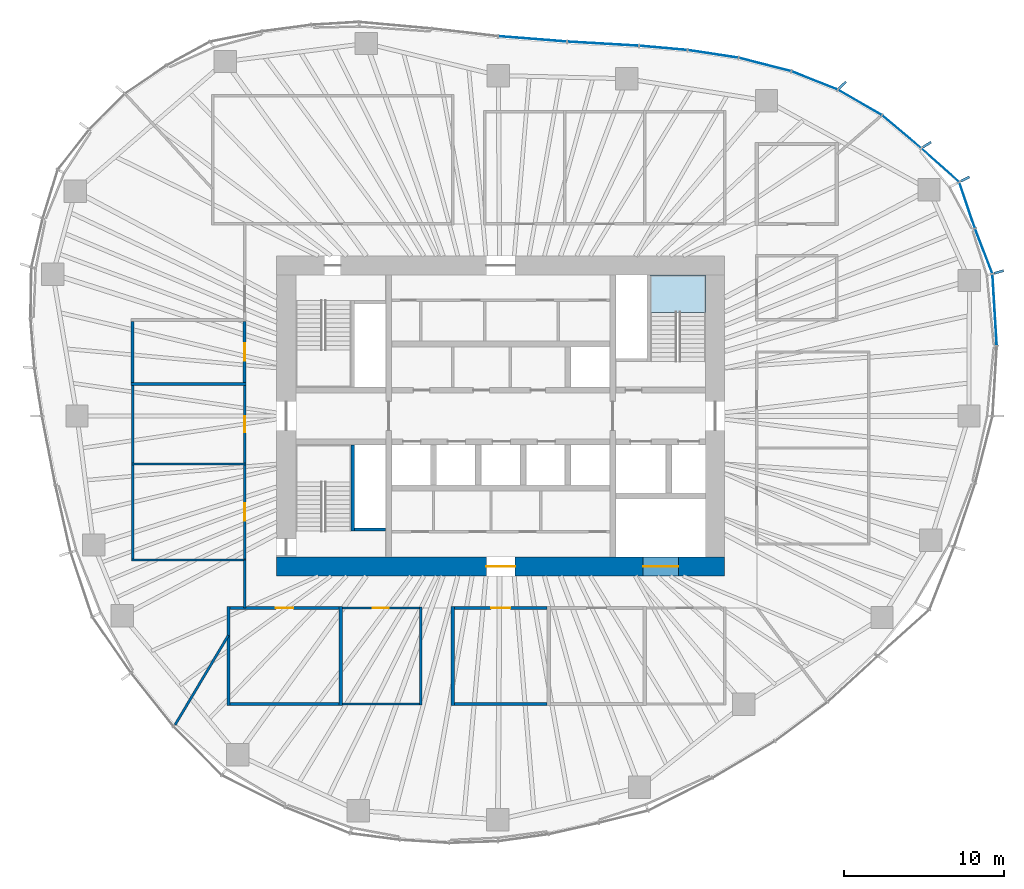
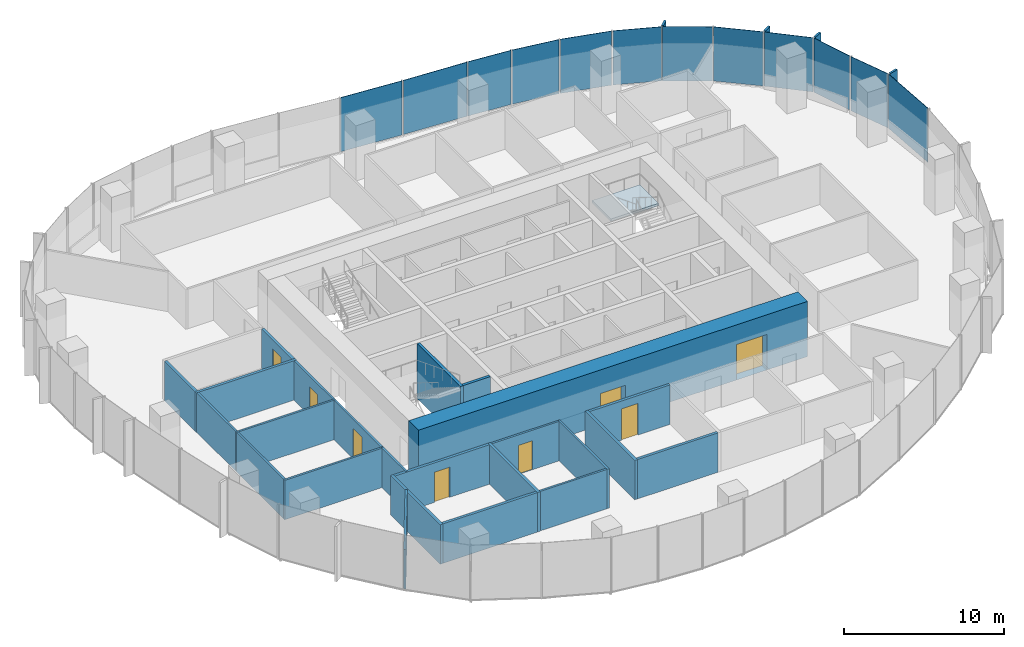
# One storey, part 8 of 18: 24 walls, 16 plates, 8 doors, 1 slab, 8 openings, 6 elements without a shape of their own.
"""IFC4 building model written with IfcOpenShell, lengths in metres."""

from ifc_helpers import new_model, si_unit, direction, frame, frame_2d, origin, origin_2d, place, context, subcontext, project, spatial, polyline, rectangle, outline, extrude, material, layer, layer_set, type_object, element, fill, aggregate, save


model = new_model("IFC4")

# Units and contexts
model_context = context("Model", 3, precision=1e-05, world=origin(), true_north=direction((0.0, 1.0)))
body_context = subcontext(model_context, "Body", "Model", "MODEL_VIEW")
ifc_project = project(units=[si_unit("LENGTHUNIT", "METRE"), si_unit("AREAUNIT", "SQUARE_METRE"), si_unit("VOLUMEUNIT", "CUBIC_METRE"), si_unit("PLANEANGLEUNIT", "RADIAN"), si_unit("MASSUNIT", "GRAM", prefix="KILO")], contexts=[model_context])

# Site, building, storey
site_placement = place(None, origin())
site = spatial("IfcSite", under=ifc_project, at=site_placement, CompositionType="ELEMENT")
building_placement = place(site_placement, origin())
building = spatial("IfcBuilding", under=site, at=building_placement, Name="Ghaith Harvest Tower", CompositionType="ELEMENT")
storey_placement = place(building_placement, frame((0.0, 0.0, 147.0)))
storey = spatial("IfcBuildingStorey", under=building, at=storey_placement, Name="L31", CompositionType="ELEMENT", Elevation=147.0)

# Curtain wall, plate
ifc_material_1 = material(Name="Black anodised aluminium and fritted glass", Category="aluminium")
curtain_wall_type = type_object("IfcCurtainWallType", Name="CW-L CURTAIN WALL", PredefinedType="NOTDEFINED", material=ifc_material_1)
curtain_wall_1_placement = place(storey_placement, origin())
curtain_wall_1 = element("IfcCurtainWall", 1, at=curtain_wall_1_placement, inside=storey, type_object=curtain_wall_type, Name="Curtain wall CW-L bay 01 L31", PredefinedType="NOTDEFINED")
ifc_material_2 = material(Name="Glass, dark solar-control fritted double glazed unit", Category="glass")
ifc_layer_1 = layer(ifc_material_2, 0.031982421875)
ifc_layer_set_1 = layer_set([ifc_layer_1], Name="CW-L VISION PANEL")
plate_type_1 = type_object("IfcPlateType", Name="CW-L VISION PANEL", PredefinedType="CURTAIN_PANEL", material=ifc_layer_set_1)
plate_1_placement = place(storey_placement, frame((30.863037109375, 6.63525390625, 0.079833984375), z_axis=(0.0, 0.0, 1.0), x_axis=(-0.060320650032, 0.998179051663, 0.0)))
plate_1 = element("IfcPlate", 2, at=plate_1_placement, type_object=plate_type_1, Name="CW-L glass unit 2 bay 01 L31", PredefinedType="CURTAIN_PANEL", context=body_context, shape_type="SweptSolid", body=[
    extrude(rectangle(XDim=4.419189453125, YDim=0.031982421875, at=origin_2d()), origin(), (0.0, 0.0, 1.0), 4.1201171875),
])
aggregate(curtain_wall_1, [plate_1])

# Curtain wall, plates
curtain_wall_2_placement = place(storey_placement, origin())
curtain_wall_2 = element("IfcCurtainWall", 3, at=curtain_wall_2_placement, inside=storey, type_object=curtain_wall_type, Name="Curtain wall CW-L bay 02 L31", PredefinedType="NOTDEFINED")
plate_2_placement = place(storey_placement, frame((30.180908203125, 10.29833984375, 0.079833984375), z_axis=(0.0, 0.0, 1.0), x_axis=(-0.359676824997, 0.933076943001, 0.0)))
plate_2 = element("IfcPlate", 4, at=plate_2_placement, type_object=plate_type_1, Name="CW-L glass unit 1 bay 02 L31", PredefinedType="CURTAIN_PANEL", context=body_context, shape_type="SweptSolid", body=[
    extrude(rectangle(XDim=2.95849609375, YDim=0.031982421875, at=origin_2d()), origin(), (0.0, 0.0, 1.0), 4.1201171875),
])
plate_3_placement = place(storey_placement, frame((29.142333984375, 13.163818359375, 0.079833984375), z_axis=(0.0, 0.0, 1.0), x_axis=(-0.321853304376, 0.946789549194, 0.0)))
plate_3 = element("IfcPlate", 5, at=plate_3_placement, type_object=plate_type_1, Name="CW-L glass unit 2 bay 02 L31", PredefinedType="CURTAIN_PANEL", context=body_context, shape_type="SweptSolid", body=[
    extrude(rectangle(XDim=2.978759765625, YDim=0.031982421875, at=origin_2d()), origin(), (0.0, 0.0, 1.0), 4.1201171875),
])
plate_4_placement = place(storey_placement, frame((27.46533203125, 15.668701171875, 0.079833984375), z_axis=(0.0, 0.0, 1.0), x_axis=(-0.746250544556, 0.665665174656, 0.0)))
plate_4 = element("IfcPlate", 6, at=plate_4_placement, type_object=plate_type_1, Name="CW-L glass unit 3 bay 02 L31", PredefinedType="CURTAIN_PANEL", context=body_context, shape_type="SweptSolid", body=[
    extrude(rectangle(XDim=3.094970703125, YDim=0.031982421875, at=origin_2d()), origin(), (0.0, 0.0, 1.0), 4.1201171875),
])
aggregate(curtain_wall_2, [plate_2, plate_3, plate_4])

curtain_wall_3_placement = place(storey_placement, origin())
curtain_wall_3 = element("IfcCurtainWall", 7, at=curtain_wall_3_placement, inside=storey, type_object=curtain_wall_type, Name="Curtain wall CW-L bay 03 L31", PredefinedType="NOTDEFINED")
plate_5_placement = place(storey_placement, frame((25.05126953125, 17.7587890625, 0.079833984375), z_axis=(0.0, 0.0, 1.0), x_axis=(-0.765473064857, 0.643467937801, 0.0)))
plate_5 = element("IfcPlate", 8, at=plate_5_placement, type_object=plate_type_1, Name="CW-L glass unit 1 bay 03 L31", PredefinedType="CURTAIN_PANEL", context=body_context, shape_type="SweptSolid", body=[
    extrude(rectangle(XDim=3.13232421875, YDim=0.031982421875, at=origin_2d()), origin(), (0.0, 0.0, 1.0), 4.1201171875),
])
plate_6_placement = place(storey_placement, frame((22.444091796875, 19.590576171875, 0.079833984375), z_axis=(0.0, 0.0, 1.0), x_axis=(-0.865232087993, 0.501371552751, 0.0)))
plate_6 = element("IfcPlate", 9, at=plate_6_placement, type_object=plate_type_1, Name="CW-L glass unit 2 bay 03 L31", PredefinedType="CURTAIN_PANEL", context=body_context, shape_type="SweptSolid", body=[
    extrude(rectangle(XDim=3.10498046875, YDim=0.031982421875, at=origin_2d()), origin(), (0.0, 0.0, 1.0), 4.1201171875),
])
plate_7_placement = place(storey_placement, frame((19.6142578125, 20.963623046875, 0.079833984375), z_axis=(0.0, 0.0, 1.0), x_axis=(-0.929876534019, 0.367871759558, 0.0)))
plate_7 = element("IfcPlate", 10, at=plate_7_placement, type_object=plate_type_1, Name="CW-L glass unit 3 bay 03 L31", PredefinedType="CURTAIN_PANEL", context=body_context, shape_type="SweptSolid", body=[
    extrude(rectangle(XDim=3.042724609375, YDim=0.031982421875, at=origin_2d()), origin(), (0.0, 0.0, 1.0), 4.1201171875),
])
aggregate(curtain_wall_3, [plate_5, plate_6, plate_7])

curtain_wall_4_placement = place(storey_placement, origin())
curtain_wall_4 = element("IfcCurtainWall", 11, at=curtain_wall_4_placement, inside=storey, type_object=curtain_wall_type, Name="Curtain wall CW-L bay 04 L31", PredefinedType="NOTDEFINED")
plate_8_placement = place(storey_placement, frame((16.513427734375, 21.958740234375, 0.079833984375), z_axis=(0.0, 0.0, 1.0), x_axis=(-0.96893110987, 0.247330758955, 0.0)))
plate_8 = element("IfcPlate", 12, at=plate_8_placement, type_object=plate_type_1, Name="CW-L glass unit 1 bay 04 L31", PredefinedType="CURTAIN_PANEL", context=body_context, shape_type="SweptSolid", body=[
    extrude(rectangle(XDim=3.3232421875, YDim=0.031982421875, at=origin_2d()), origin(), (0.0, 0.0, 1.0), 4.1201171875),
])
plate_9_placement = place(storey_placement, frame((13.2685546875, 22.621826171875, 0.079833984375), z_axis=(0.0, 0.0, 1.0), x_axis=(-0.988678736369, 0.150047846542, 0.0)))
plate_9 = element("IfcPlate", 13, at=plate_9_placement, type_object=plate_type_1, Name="CW-L glass unit 2 bay 04 L31", PredefinedType="CURTAIN_PANEL", context=body_context, shape_type="SweptSolid", body=[
    extrude(rectangle(XDim=3.14892578125, YDim=0.031982421875, at=origin_2d()), origin(), (0.0, 0.0, 1.0), 4.1201171875),
])
plate_10_placement = place(storey_placement, frame((10.15966796875, 22.9970703125, 0.079833984375), z_axis=(0.0, 0.0, 1.0), x_axis=(-0.996166190972, 0.087480969151, 0.0)))
plate_10 = element("IfcPlate", 14, at=plate_10_placement, type_object=plate_type_1, Name="CW-L glass unit 3 bay 04 L31", PredefinedType="CURTAIN_PANEL", context=body_context, shape_type="SweptSolid", body=[
    extrude(rectangle(XDim=2.957275390625, YDim=0.031982421875, at=origin_2d()), origin(), (0.0, 0.0, 1.0), 4.1201171875),
])
aggregate(curtain_wall_4, [plate_8, plate_9, plate_10])

curtain_wall_5_placement = place(storey_placement, origin())
curtain_wall_5 = element("IfcCurtainWall", 15, at=curtain_wall_5_placement, inside=storey, type_object=curtain_wall_type, Name="Curtain wall CW-L bay 05 L31", PredefinedType="NOTDEFINED")
plate_11_placement = place(storey_placement, frame((6.396728515625, 23.260498046875, 0.079833984375), z_axis=(0.0, 0.0, 1.0), x_axis=(-0.998320798751, 0.05792739233, 0.0)))
plate_11 = element("IfcPlate", 16, at=plate_11_placement, type_object=plate_type_1, Name="CW-L glass unit 1 bay 05 L31", PredefinedType="CURTAIN_PANEL", context=body_context, shape_type="SweptSolid", body=[
    extrude(rectangle(XDim=4.427734375, YDim=0.031982421875, at=origin_2d()), origin(), (0.0, 0.0, 1.0), 4.1201171875),
])
plate_12_placement = place(storey_placement, frame((1.9921875, 23.560302734375, 0.079833984375), z_axis=(0.0, 0.0, 1.0), x_axis=(-0.996925121312, 0.078360082291, 0.0)))
plate_12 = element("IfcPlate", 17, at=plate_12_placement, type_object=plate_type_1, Name="CW-L glass unit 2 bay 05 L31", PredefinedType="CURTAIN_PANEL", context=body_context, shape_type="SweptSolid", body=[
    extrude(rectangle(XDim=4.242431640625, YDim=0.031982421875, at=origin_2d()), origin(), (0.0, 0.0, 1.0), 4.1201171875),
])
aggregate(curtain_wall_5, [plate_11, plate_12])

# Stair, slab
ifc_material_3 = material(Name="Concrete C40/50, precast", Category="concrete")
stair_type = type_object("IfcStairType", Name="CORE STAIR 24R", PredefinedType="HALF_TURN_STAIR", material=ifc_material_3)
stair_placement = place(storey_placement, origin())
stair = element("IfcStair", 18, at=stair_placement, inside=storey, type_object=stair_type, Name="Stair ST2 L31", PredefinedType="HALF_TURN_STAIR")
ifc_material_4 = material(Name="Concrete C40/50, precast", Category="concrete")
ifc_layer_2 = layer(ifc_material_4, 0.179931640625)
ifc_layer_set_2 = layer_set([ifc_layer_2], Name="STAIR LANDING 180")
slab_type = type_object("IfcSlabType", Name="STAIR LANDING 180", PredefinedType="LANDING", material=ifc_layer_set_2)
slab_placement = place(storey_placement, frame((0.0, 0.0, 1.919921875)))
slab = element("IfcSlab", 19, at=slab_placement, type_object=slab_type, Name="ST2 landing 1", PredefinedType="LANDING", context=body_context, shape_type="SweptSolid", body=[
    extrude(outline(polyline([(12.800048828125, 6.4599609375), (12.800048828125, 8.800048828125), (9.35009765625, 8.800048828125), (9.35009765625, 6.4599609375), (12.800048828125, 6.4599609375)])), origin(), (0.0, 0.0, 1.0), 0.18017578125),
])
aggregate(stair, [slab])

# Plates
ifc_material_5 = material(Name="Glassfibre-reinforced concrete", Category="concrete")
ifc_layer_3 = layer(ifc_material_5, 0.14990234375)
ifc_layer_set_3 = layer_set([ifc_layer_3], Name="SUN-BREAKER FIN 600x150")
plate_type_2 = type_object("IfcPlateType", Name="SUN-BREAKER FIN 600x150", PredefinedType="USERDEFINED", material=ifc_layer_set_3)
for number, where, z_axis, x_axis, name in (
    (20, (31.130859375, 8.99755859375, 0.0), (0.0, 0.0, 1.0), (0.960680349985, 0.277656739792, 0.0), "Sun-breaker fin CW-L 1 bay 02 L31"),
    (21, (29.024169921875, 14.802734375, 0.0), (0.0, 0.0, 1.0), (0.890830752257, 0.454335306611, 0.0), "Sun-breaker fin CW-L 3 bay 02 L31"),
    (22, (26.635009765625, 16.95068359375, 0.0), (0.0, 0.0, 1.0), (0.843643971464, 0.536903016766, 0.0), "Sun-breaker fin CW-L 1 bay 03 L31"),
    (23, (21.367919921875, 20.68115234375, 0.0), (0.0, 0.0, 1.0), (0.7185589652, 0.69546604053, 0.0), "Sun-breaker fin CW-L 3 bay 03 L31"),
):
    element("IfcPlate", number, at=place(storey_placement, frame(where, z_axis=z_axis, x_axis=x_axis)), inside=storey, type_object=plate_type_2, Name=name, ObjectType="SUN-BREAKER FIN", PredefinedType="USERDEFINED", context=body_context, shape_type="SweptSolid", body=[
        extrude(rectangle(XDim=0.60009765625, YDim=0.14990234375, at=origin_2d()), origin(), (0.0, 0.0, 1.0), 4.199951171875),
    ])

# Walls
ifc_material_6 = material(Name="Twin-stud gypsum board, acoustic", Category="gypsum")
ifc_layer_4 = layer(ifc_material_6, 0.199951171875)
ifc_layer_set_4 = layer_set([ifc_layer_4], Name="ACOUSTIC PARTITION 200")
wall_type_1 = type_object("IfcWallType", Name="ACOUSTIC PARTITION 200", PredefinedType="PARTITIONING", material=ifc_layer_set_4)
for number, where, z_axis, x_axis, name in (
    (24, (-17.0, -11.89990234375, 0.0), (0.0, 0.0, 1.0), (0.0, -1.0, 0.0), "Partition L31 row S3 cross wall 1"),
    (25, (-10.0, -11.89990234375, 0.0), (0.0, 0.0, 1.0), (0.0, -1.0, 0.0), "Partition L31 row S3 cross wall 2"),
):
    element("IfcWall", number, at=place(storey_placement, frame(where, z_axis=z_axis, x_axis=x_axis)), inside=storey, type_object=wall_type_1, Name=name, PredefinedType="PARTITIONING", context=body_context, shape_type="SweptSolid", body=[
        extrude(rectangle(XDim=6.2001953125, YDim=0.199951171875, at=frame_2d((3.10009765625, 0.0))), origin(), (0.0, 0.0, 1.0), 3.0),
    ])

# Wall, opening, door
wall_1_placement = place(storey_placement, frame((-16.89990234375, -12.0, 0.0), z_axis=(0.0, 0.0, 1.0), x_axis=(1.0, 0.0, 0.0)))
wall_1 = element("IfcWall", 26, at=wall_1_placement, inside=storey, type_object=wall_type_1, Name="Partition L31-05", PredefinedType="PARTITIONING", context=body_context, shape_type="SweptSolid", body=[
    extrude(rectangle(XDim=6.7998046875, YDim=0.199951171875, at=frame_2d((3.39990234375, 0.0))), origin(), (0.0, 0.0, 1.0), 3.0),
])
opening_1_placement = place(wall_1_placement, frame((2.85009765625, 0.0, 0.0)))
opening_1 = element("IfcOpeningElement", 27, at=opening_1_placement, cuts=wall_1, Name="Opening 31-032", PredefinedType="OPENING", context=body_context, shape_type="SweptSolid", body=[
    extrude(rectangle(XDim=1.10009765625, YDim=2.300048828125, at=frame_2d((0.550048828125, 1.14990234375))), frame((0.0, 0.10986328125, 0.0), z_axis=(0.0, -1.0, 0.0), x_axis=(1.0, 0.0, 0.0)), (0.0, 0.0, 1.0), 0.219970703125),
])
ifc_material_7 = material(Name="Timber-framed glazed door", Category="wood")
door_type_1 = type_object("IfcDoorType", Name="D12 GLAZED OFFICE 1100x2300", OperationType="SINGLE_SWING_LEFT", PredefinedType="DOOR", material=ifc_material_7)
door_1_placement = place(opening_1_placement, origin())
door_1 = element("IfcDoor", 28, at=door_1_placement, inside=storey, type_object=door_type_1, Name="Focus room door", OperationType="SINGLE_SWING_LEFT", OverallHeight=2.300048828125, OverallWidth=1.10009765625, PredefinedType="DOOR", context=body_context, shape_type="SweptSolid", body=[
    extrude(rectangle(XDim=1.10009765625, YDim=2.300048828125, at=frame_2d((0.550048828125, 1.14990234375))), frame((0.0, 0.02490234375, 0.0), z_axis=(0.0, -1.0, 0.0), x_axis=(1.0, 0.0, 0.0)), (0.0, 0.0, 1.0), 0.050048828125),
])
fill(opening_1, door_1)

# Walls
wall_2_placement = place(storey_placement, frame((-16.89990234375, -18.0, 0.0), z_axis=(0.0, 0.0, 1.0), x_axis=(1.0, 0.0, 0.0)))
element("IfcWall", 29, at=wall_2_placement, inside=storey, type_object=wall_type_1, Name="Partition L31-05", PredefinedType="PARTITIONING", context=body_context, shape_type="SweptSolid", body=[
    extrude(rectangle(XDim=6.7998046875, YDim=0.199951171875, at=frame_2d((3.39990234375, 0.0))), origin(), (0.0, 0.0, 1.0), 3.0),
])
wall_3_placement = place(storey_placement, frame((-3.0, -11.89990234375, 0.0), z_axis=(0.0, 0.0, 1.0), x_axis=(0.0, -1.0, 0.0)))
element("IfcWall", 30, at=wall_3_placement, inside=storey, type_object=wall_type_1, Name="Partition L31 row S4 cross wall 1", PredefinedType="PARTITIONING", context=body_context, shape_type="SweptSolid", body=[
    extrude(rectangle(XDim=6.2001953125, YDim=0.199951171875, at=frame_2d((3.10009765625, 0.0))), origin(), (0.0, 0.0, 1.0), 3.0),
])

# Wall, opening, door
wall_4_placement = place(storey_placement, frame((-2.89990234375, -12.0, 0.0), z_axis=(0.0, 0.0, 1.0), x_axis=(1.0, 0.0, 0.0)))
wall_4 = element("IfcWall", 31, at=wall_4_placement, inside=storey, type_object=wall_type_1, Name="Partition L31-07", PredefinedType="PARTITIONING", context=body_context, shape_type="SweptSolid", body=[
    extrude(rectangle(XDim=5.7998046875, YDim=0.199951171875, at=frame_2d((2.89990234375, 0.0))), origin(), (0.0, 0.0, 1.0), 3.0),
])
opening_2_placement = place(wall_4_placement, frame((2.300048828125, 0.0, 0.0)))
opening_2 = element("IfcOpeningElement", 32, at=opening_2_placement, cuts=wall_4, Name="Opening 31-034", PredefinedType="OPENING", context=body_context, shape_type="SweptSolid", body=[
    extrude(rectangle(XDim=1.199951171875, YDim=2.39990234375, at=frame_2d((0.60009765625, 1.199951171875))), frame((0.0, 0.10986328125, 0.0), z_axis=(0.0, -1.0, 0.0), x_axis=(1.0, 0.0, 0.0)), (0.0, 0.0, 1.0), 0.219970703125),
])
ifc_material_8 = material(Name="Timber door", Category="wood")
door_type_2 = type_object("IfcDoorType", Name="D11 GLAZED 1200x2400", OperationType="SINGLE_SWING_LEFT", PredefinedType="DOOR", material=ifc_material_8)
door_2_placement = place(opening_2_placement, origin())
door_2 = element("IfcDoor", 33, at=door_2_placement, inside=storey, type_object=door_type_2, Name="Meeting room door", OperationType="SINGLE_SWING_LEFT", OverallHeight=2.39990234375, OverallWidth=1.199951171875, PredefinedType="DOOR", context=body_context, shape_type="SweptSolid", body=[
    extrude(rectangle(XDim=1.199951171875, YDim=2.39990234375, at=frame_2d((0.60009765625, 1.199951171875))), frame((0.0, 0.02490234375, 0.0), z_axis=(0.0, -1.0, 0.0), x_axis=(1.0, 0.0, 0.0)), (0.0, 0.0, 1.0), 0.050048828125),
])
fill(opening_2, door_2)

# Walls
wall_5_placement = place(storey_placement, frame((-2.89990234375, -18.0, 0.0), z_axis=(0.0, 0.0, 1.0), x_axis=(1.0, 0.0, 0.0)))
element("IfcWall", 34, at=wall_5_placement, inside=storey, type_object=wall_type_1, Name="Partition L31-07", PredefinedType="PARTITIONING", context=body_context, shape_type="SweptSolid", body=[
    extrude(rectangle(XDim=5.7998046875, YDim=0.199951171875, at=frame_2d((2.89990234375, 0.0))), origin(), (0.0, 0.0, 1.0), 3.0),
])
wall_6_placement = place(storey_placement, frame((-15.89990234375, 2.0, 0.0), z_axis=(0.0, 0.0, 1.0), x_axis=(-1.0, 0.0, 0.0)))
element("IfcWall", 35, at=wall_6_placement, inside=storey, type_object=wall_type_1, Name="Partition L31 row W6 cross wall 3", PredefinedType="PARTITIONING", context=body_context, shape_type="SweptSolid", body=[
    extrude(rectangle(XDim=7.2001953125, YDim=0.199951171875, at=frame_2d((3.60009765625, 0.0))), origin(), (0.0, 0.0, 1.0), 3.0),
])

# Wall, opening, door
wall_7_placement = place(storey_placement, frame((-16.0, 2.10009765625, 0.0), z_axis=(0.0, 0.0, 1.0), x_axis=(0.0, 1.0, 0.0)))
wall_7 = element("IfcWall", 36, at=wall_7_placement, inside=storey, type_object=wall_type_1, Name="Partition L31-14", PredefinedType="PARTITIONING", context=body_context, shape_type="SweptSolid", body=[
    extrude(rectangle(XDim=3.7998046875, YDim=0.199951171875, at=frame_2d((1.89990234375, 0.0))), origin(), (0.0, 0.0, 1.0), 3.0),
])
opening_3_placement = place(wall_7_placement, frame((1.35009765625, 0.0, 0.0)))
opening_3 = element("IfcOpeningElement", 37, at=opening_3_placement, cuts=wall_7, Name="Opening 31-041", PredefinedType="OPENING", context=body_context, shape_type="SweptSolid", body=[
    extrude(rectangle(XDim=1.10009765625, YDim=2.300048828125, at=frame_2d((0.550048828125, 1.14990234375))), frame((0.0, 0.10986328125, 0.0), z_axis=(0.0, -1.0, 0.0), x_axis=(1.0, 0.0, 0.0)), (0.0, 0.0, 1.0), 0.219970703125),
])
door_3_placement = place(opening_3_placement, origin())
door_3 = element("IfcDoor", 38, at=door_3_placement, inside=storey, type_object=door_type_1, Name="Quiet room door", OperationType="SINGLE_SWING_LEFT", OverallHeight=2.300048828125, OverallWidth=1.10009765625, PredefinedType="DOOR", context=body_context, shape_type="SweptSolid", body=[
    extrude(rectangle(XDim=1.10009765625, YDim=2.300048828125, at=frame_2d((0.550048828125, 1.14990234375))), frame((0.0, 0.02490234375, 0.0), z_axis=(0.0, -1.0, 0.0), x_axis=(1.0, 0.0, 0.0)), (0.0, 0.0, 1.0), 0.050048828125),
])
fill(opening_3, door_3)

# Wall
wall_8_placement = place(storey_placement, frame((-23.0, 2.10009765625, 0.0), z_axis=(0.0, 0.0, 1.0), x_axis=(0.0, 1.0, 0.0)))
element("IfcWall", 39, at=wall_8_placement, inside=storey, type_object=wall_type_1, Name="Partition L31-14", PredefinedType="PARTITIONING", context=body_context, shape_type="SweptSolid", body=[
    extrude(rectangle(XDim=3.7998046875, YDim=0.199951171875, at=frame_2d((1.89990234375, 0.0))), origin(), (0.0, 0.0, 1.0), 3.0),
])

# Wall, openings, doors
ifc_material_9 = material(Name="Concrete C60/75", Category="concrete")
ifc_layer_5 = layer(ifc_material_9, 1.199951171875)
ifc_layer_set_5 = layer_set([ifc_layer_5], Name="CORE WALL CW1200 C60")
wall_type_2 = type_object("IfcWallType", Name="CORE WALL CW1200 C60", PredefinedType="SHEAR", material=ifc_layer_set_5)
wall_9_placement = place(storey_placement, frame((-14.0, -9.39990234375, 0.0), z_axis=(0.0, 0.0, 1.0), x_axis=(1.0, 0.0, 0.0)))
wall_9 = element("IfcWall", 40, at=wall_9_placement, inside=storey, type_object=wall_type_2, Name="Core wall S L31", PredefinedType="SHEAR", context=body_context, shape_type="SweptSolid", body=[
    extrude(rectangle(XDim=28.0, YDim=1.199951171875, at=frame_2d((14.0, 0.0))), origin(), (0.0, 0.0, 1.0), 4.199951171875),
])
opening_4_placement = place(wall_9_placement, frame((13.10009765625, 0.0, 0.0)))
opening_4 = element("IfcOpeningElement", 41, at=opening_4_placement, cuts=wall_9, Name="Opening 31-020", PredefinedType="OPENING", context=body_context, shape_type="SweptSolid", body=[
    extrude(rectangle(XDim=1.800048828125, YDim=2.39990234375, at=frame_2d((0.89990234375, 1.199951171875))), frame((0.0, 0.60986328125, 0.0), z_axis=(0.0, -1.0, 0.0), x_axis=(1.0, 0.0, 0.0)), (0.0, 0.0, 1.0), 1.219970703125),
])
opening_5_placement = place(wall_9_placement, frame((22.89990234375, 0.0, 0.0)))
opening_5 = element("IfcOpeningElement", 42, at=opening_5_placement, cuts=wall_9, Name="Opening 31-027", PredefinedType="OPENING", context=body_context, shape_type="SweptSolid", body=[
    extrude(rectangle(XDim=2.199951171875, YDim=2.699951171875, at=frame_2d((1.10009765625, 1.35009765625))), frame((0.0, 0.60986328125, 0.0), z_axis=(0.0, -1.0, 0.0), x_axis=(1.0, 0.0, 0.0)), (0.0, 0.0, 1.0), 1.219970703125),
])
ifc_material_10 = material(Name="Steel fire door", Category="steel")
door_type_3 = type_object("IfcDoorType", Name="D4 FD90 PAIR 1800x2400", OperationType="DOUBLE_DOOR_SINGLE_SWING", PredefinedType="DOOR", material=ifc_material_10)
door_4_placement = place(opening_4_placement, origin())
door_4 = element("IfcDoor", 43, at=door_4_placement, inside=storey, type_object=door_type_3, Name="Core service corridor doors", OperationType="DOUBLE_DOOR_SINGLE_SWING", OverallHeight=2.39990234375, OverallWidth=1.800048828125, PredefinedType="DOOR", context=body_context, shape_type="SweptSolid", body=[
    extrude(rectangle(XDim=1.800048828125, YDim=2.39990234375, at=frame_2d((0.89990234375, 1.199951171875))), frame((0.0, 0.02490234375, 0.0), z_axis=(0.0, -1.0, 0.0), x_axis=(1.0, 0.0, 0.0)), (0.0, 0.0, 1.0), 0.050048828125),
])
fill(opening_4, door_4)
ifc_material_11 = material(Name="Steel fire door", Category="steel")
door_type_4 = type_object("IfcDoorType", Name="LD3 LANDING 2200x2700", OperationType="DOUBLE_DOOR_SLIDING", PredefinedType="DOOR", material=ifc_material_11)
door_5_placement = place(opening_5_placement, origin())
door_5 = element("IfcDoor", 44, at=door_5_placement, inside=storey, type_object=door_type_4, Name="Landing door, goods lift GL1", OperationType="DOUBLE_DOOR_SLIDING", OverallHeight=2.699951171875, OverallWidth=2.199951171875, PredefinedType="DOOR", context=body_context, shape_type="SweptSolid", body=[
    extrude(rectangle(XDim=2.199951171875, YDim=2.699951171875, at=frame_2d((1.10009765625, 1.35009765625))), frame((0.0, 0.02490234375, 0.0), z_axis=(0.0, -1.0, 0.0), x_axis=(1.0, 0.0, 0.0)), (0.0, 0.0, 1.0), 0.050048828125),
])
fill(opening_5, door_5)

# Wall
ifc_material_12 = material(Name="Gypsum board on steel studs", Category="steel")
ifc_layer_6 = layer(ifc_material_12, 0.14990234375)
ifc_layer_set_6 = layer_set([ifc_layer_6], Name="PARTITION 150")
wall_type_3 = type_object("IfcWallType", Name="PARTITION 150", PredefinedType="PARTITIONING", material=ifc_layer_set_6)
wall_10_placement = place(storey_placement, frame((-5.0, -11.925048828125, 0.0), z_axis=(0.0, 0.0, 1.0), x_axis=(0.0, -1.0, 0.0)))
element("IfcWall", 45, at=wall_10_placement, inside=storey, type_object=wall_type_3, Name="Partition L31 row S3 cross wall 3", PredefinedType="PARTITIONING", context=body_context, shape_type="SweptSolid", body=[
    extrude(rectangle(XDim=6.14990234375, YDim=0.14990234375, at=frame_2d((3.074951171875, 0.0))), origin(), (0.0, 0.0, 1.0), 3.0),
])

# Wall, opening, door
wall_11_placement = place(storey_placement, frame((-9.89990234375, -12.0, 0.0), z_axis=(0.0, 0.0, 1.0), x_axis=(1.0, 0.0, 0.0)))
wall_11 = element("IfcWall", 46, at=wall_11_placement, inside=storey, type_object=wall_type_3, Name="Partition L31-06", PredefinedType="PARTITIONING", context=body_context, shape_type="SweptSolid", body=[
    extrude(rectangle(XDim=4.824951171875, YDim=0.14990234375, at=frame_2d((2.41259765625, 0.0))), origin(), (0.0, 0.0, 1.0), 3.0),
])
opening_6_placement = place(wall_11_placement, frame((1.91259765625, 0.0, 0.0)))
opening_6 = element("IfcOpeningElement", 47, at=opening_6_placement, cuts=wall_11, Name="Opening 31-033", PredefinedType="OPENING", context=body_context, shape_type="SweptSolid", body=[
    extrude(rectangle(XDim=1.0, YDim=2.199951171875, at=frame_2d((0.5, 1.10009765625))), frame((0.0, 0.0849609375, 0.0), z_axis=(0.0, -1.0, 0.0), x_axis=(1.0, 0.0, 0.0)), (0.0, 0.0, 1.0), 0.169921875),
])
ifc_material_13 = material(Name="Timber door", Category="wood")
door_type_5 = type_object("IfcDoorType", Name="D1 SINGLE 1000x2200", OperationType="SINGLE_SWING_LEFT", PredefinedType="DOOR", material=ifc_material_13)
door_6_placement = place(opening_6_placement, origin())
door_6 = element("IfcDoor", 48, at=door_6_placement, inside=storey, type_object=door_type_5, Name="Store door", OperationType="SINGLE_SWING_LEFT", OverallHeight=2.199951171875, OverallWidth=1.0, PredefinedType="DOOR", context=body_context, shape_type="SweptSolid", body=[
    extrude(rectangle(XDim=1.0, YDim=2.199951171875, at=frame_2d((0.5, 1.10009765625))), frame((0.0, 0.02490234375, 0.0), z_axis=(0.0, -1.0, 0.0), x_axis=(1.0, 0.0, 0.0)), (0.0, 0.0, 1.0), 0.050048828125),
])
fill(opening_6, door_6)

# Walls
wall_12_placement = place(storey_placement, frame((-9.89990234375, -18.0, 0.0), z_axis=(0.0, 0.0, 1.0), x_axis=(1.0, 0.0, 0.0)))
element("IfcWall", 49, at=wall_12_placement, inside=storey, type_object=wall_type_3, Name="Partition L31-06", PredefinedType="PARTITIONING", context=body_context, shape_type="SweptSolid", body=[
    extrude(rectangle(XDim=4.824951171875, YDim=0.14990234375, at=frame_2d((2.41259765625, 0.0))), origin(), (0.0, 0.0, 1.0), 3.0),
])
for number, where, z_axis, x_axis, name in (
    (50, (-15.925048828125, -9.0, 0.0), (0.0, 0.0, 1.0), (-1.0, 0.0, 0.0), "Partition L31 row W6 cross wall 1"),
    (51, (-15.925048828125, -3.0, 0.0), (0.0, 0.0, 1.0), (-1.0, 0.0, 0.0), "Partition L31 row W6 cross wall 2"),
):
    element("IfcWall", number, at=place(storey_placement, frame(where, z_axis=z_axis, x_axis=x_axis)), inside=storey, type_object=wall_type_3, Name=name, PredefinedType="PARTITIONING", context=body_context, shape_type="SweptSolid", body=[
        extrude(rectangle(XDim=7.14990234375, YDim=0.14990234375, at=frame_2d((3.574951171875, 0.0))), origin(), (0.0, 0.0, 1.0), 3.0),
    ])

# Wall, opening, door
wall_13_placement = place(storey_placement, frame((-16.0, -8.925048828125, 0.0), z_axis=(0.0, 0.0, 1.0), x_axis=(0.0, 1.0, 0.0)))
wall_13 = element("IfcWall", 52, at=wall_13_placement, inside=storey, type_object=wall_type_3, Name="Partition L31-12", PredefinedType="PARTITIONING", context=body_context, shape_type="SweptSolid", body=[
    extrude(rectangle(XDim=5.85009765625, YDim=0.14990234375, at=frame_2d((2.925048828125, 0.0))), origin(), (0.0, 0.0, 1.0), 3.0),
])
opening_7_placement = place(wall_13_placement, frame((2.375, 0.0, 0.0)))
opening_7 = element("IfcOpeningElement", 53, at=opening_7_placement, cuts=wall_13, Name="Opening 31-039", PredefinedType="OPENING", context=body_context, shape_type="SweptSolid", body=[
    extrude(rectangle(XDim=1.10009765625, YDim=2.300048828125, at=frame_2d((0.550048828125, 1.14990234375))), frame((0.0, 0.0849609375, 0.0), z_axis=(0.0, -1.0, 0.0), x_axis=(1.0, 0.0, 0.0)), (0.0, 0.0, 1.0), 0.169921875),
])
door_7_placement = place(opening_7_placement, origin())
door_7 = element("IfcDoor", 54, at=door_7_placement, inside=storey, type_object=door_type_1, Name="Office door", OperationType="SINGLE_SWING_LEFT", OverallHeight=2.300048828125, OverallWidth=1.10009765625, PredefinedType="DOOR", context=body_context, shape_type="SweptSolid", body=[
    extrude(rectangle(XDim=1.10009765625, YDim=2.300048828125, at=frame_2d((0.550048828125, 1.14990234375))), frame((0.0, 0.02490234375, 0.0), z_axis=(0.0, -1.0, 0.0), x_axis=(1.0, 0.0, 0.0)), (0.0, 0.0, 1.0), 0.050048828125),
])
fill(opening_7, door_7)

# Wall
wall_14_placement = place(storey_placement, frame((-23.0, -8.925048828125, 0.0), z_axis=(0.0, 0.0, 1.0), x_axis=(0.0, 1.0, 0.0)))
element("IfcWall", 55, at=wall_14_placement, inside=storey, type_object=wall_type_3, Name="Partition L31-12", PredefinedType="PARTITIONING", context=body_context, shape_type="SweptSolid", body=[
    extrude(rectangle(XDim=5.85009765625, YDim=0.14990234375, at=frame_2d((2.925048828125, 0.0))), origin(), (0.0, 0.0, 1.0), 3.0),
])

# Wall, opening, door
wall_15_placement = place(storey_placement, frame((-16.0, -2.925048828125, 0.0), z_axis=(0.0, 0.0, 1.0), x_axis=(0.0, 1.0, 0.0)))
wall_15 = element("IfcWall", 56, at=wall_15_placement, inside=storey, type_object=wall_type_3, Name="Partition L31-13", PredefinedType="PARTITIONING", context=body_context, shape_type="SweptSolid", body=[
    extrude(rectangle(XDim=4.824951171875, YDim=0.14990234375, at=frame_2d((2.41259765625, 0.0))), origin(), (0.0, 0.0, 1.0), 3.0),
])
opening_8_placement = place(wall_15_placement, frame((1.91259765625, 0.0, 0.0)))
opening_8 = element("IfcOpeningElement", 57, at=opening_8_placement, cuts=wall_15, Name="Opening 31-040", PredefinedType="OPENING", context=body_context, shape_type="SweptSolid", body=[
    extrude(rectangle(XDim=1.0, YDim=2.199951171875, at=frame_2d((0.5, 1.10009765625))), frame((0.0, 0.0849609375, 0.0), z_axis=(0.0, -1.0, 0.0), x_axis=(1.0, 0.0, 0.0)), (0.0, 0.0, 1.0), 0.169921875),
])
door_8_placement = place(opening_8_placement, origin())
door_8 = element("IfcDoor", 58, at=door_8_placement, inside=storey, type_object=door_type_5, Name="Print room door", OperationType="SINGLE_SWING_LEFT", OverallHeight=2.199951171875, OverallWidth=1.0, PredefinedType="DOOR", context=body_context, shape_type="SweptSolid", body=[
    extrude(rectangle(XDim=1.0, YDim=2.199951171875, at=frame_2d((0.5, 1.10009765625))), frame((0.0, 0.02490234375, 0.0), z_axis=(0.0, -1.0, 0.0), x_axis=(1.0, 0.0, 0.0)), (0.0, 0.0, 1.0), 0.050048828125),
])
fill(opening_8, door_8)

# Walls
wall_16_placement = place(storey_placement, frame((-23.0, -2.925048828125, 0.0), z_axis=(0.0, 0.0, 1.0), x_axis=(0.0, 1.0, 0.0)))
element("IfcWall", 59, at=wall_16_placement, inside=storey, type_object=wall_type_3, Name="Partition L31-13", PredefinedType="PARTITIONING", context=body_context, shape_type="SweptSolid", body=[
    extrude(rectangle(XDim=4.824951171875, YDim=0.14990234375, at=frame_2d((2.41259765625, 0.0))), origin(), (0.0, 0.0, 1.0), 3.0),
])
wall_17_placement = place(storey_placement, frame((-17.02001953125, -13.71337890625, 0.0), z_axis=(0.0, 0.0, 1.0), x_axis=(-0.511508304982, -0.859278333216, 0.0)))
element("IfcWall", 60, at=wall_17_placement, inside=storey, type_object=wall_type_3, Name="Partition L31 zone division", PredefinedType="PARTITIONING", context=body_context, shape_type="SweptSolid", body=[
    extrude(rectangle(XDim=6.49658203125, YDim=0.14990234375, at=frame_2d((3.248291015625, 0.0))), origin(), (0.0, 0.0, 1.0), 3.0),
])
wall_18_placement = place(storey_placement, frame((-16.0, -9.0, 0.0), z_axis=(0.0, 0.0, 1.0), x_axis=(0.0, -1.0, 0.0)))
element("IfcWall", 61, at=wall_18_placement, inside=storey, type_object=wall_type_3, Name="Partition L31 zone enclosure", PredefinedType="PARTITIONING", context=body_context, shape_type="SweptSolid", body=[
    extrude(rectangle(XDim=3.0, YDim=0.14990234375, at=frame_2d((1.5, 0.0))), origin(), (0.0, 0.0, 1.0), 3.0),
])
ifc_material_14 = material(Name="Concrete C40/50", Category="concrete")
ifc_layer_7 = layer(ifc_material_14, 0.199951171875)
ifc_layer_set_7 = layer_set([ifc_layer_7], Name="STAIR SPINE WALL RC200")
wall_type_4 = type_object("IfcWallType", Name="STAIR SPINE WALL RC200", PredefinedType="SOLIDWALL", material=ifc_layer_set_7)
wall_19_placement = place(storey_placement, frame((-9.25, -7.199951171875, 0.0), z_axis=(0.0, 0.0, 1.0), x_axis=(0.0, 1.0, 0.0)))
element("IfcWall", 62, at=wall_19_placement, inside=storey, type_object=wall_type_4, Name="Stair ST3 spine wall L31", PredefinedType="SOLIDWALL", context=body_context, shape_type="SweptSolid", body=[
    extrude(rectangle(XDim=5.39990234375, YDim=0.199951171875, at=frame_2d((2.699951171875, 0.0))), origin(), (0.0, 0.0, 1.0), 4.199951171875),
])
wall_20_placement = place(storey_placement, frame((-9.14990234375, -7.10009765625, 0.0), z_axis=(0.0, 0.0, 1.0), x_axis=(1.0, 0.0, 0.0)))
element("IfcWall", 63, at=wall_20_placement, inside=storey, type_object=wall_type_4, Name="Stair ST3 spine wall return L31", PredefinedType="SOLIDWALL", context=body_context, shape_type="SweptSolid", body=[
    extrude(rectangle(XDim=1.949951171875, YDim=0.199951171875, at=frame_2d((0.97509765625, 0.0))), origin(), (0.0, 0.0, 1.0), 4.199951171875),
])

save(model, "model.ifc")
